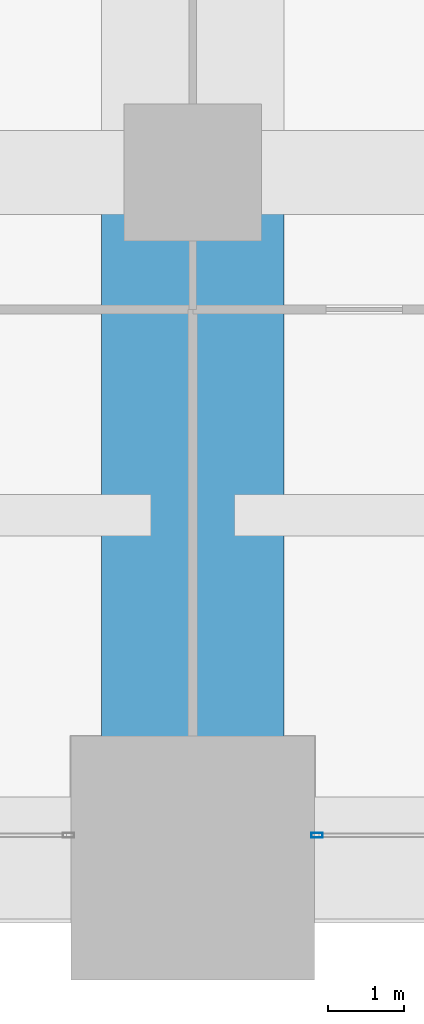
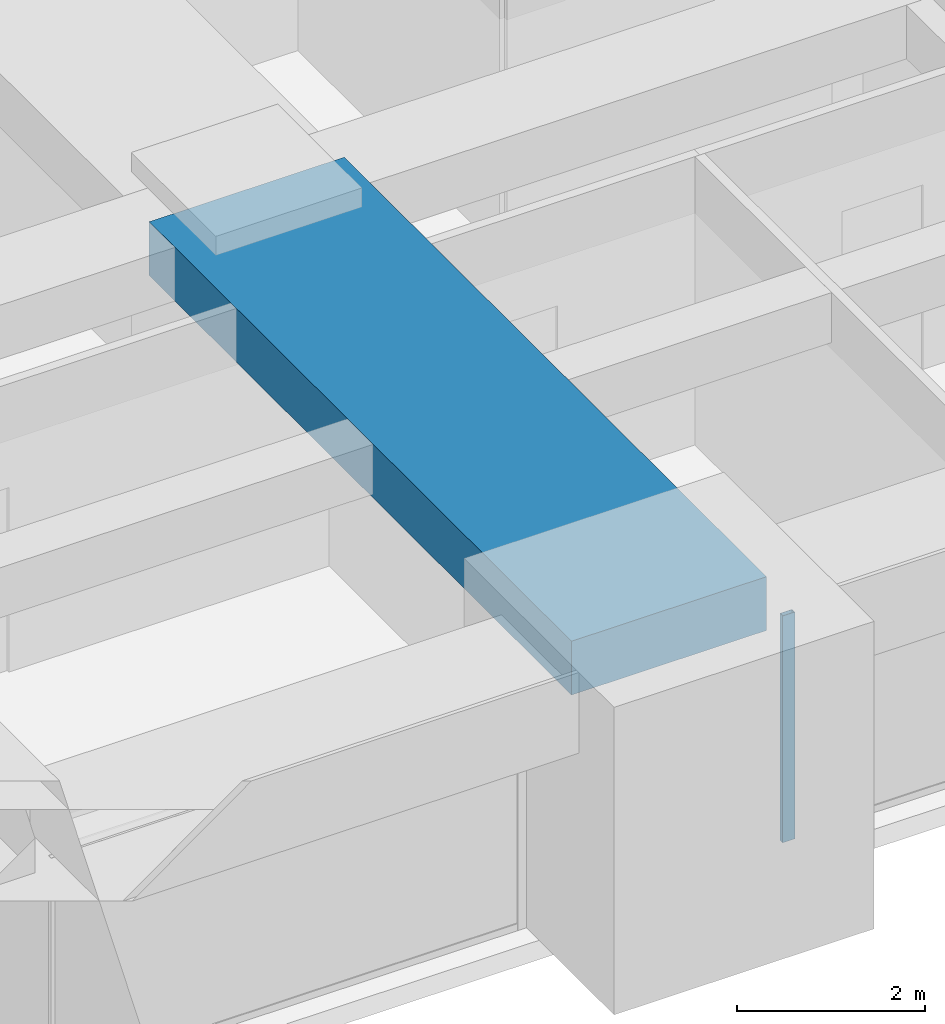
# One storey, part 8 of 36: 1 beam, 1 member, 1 element without a shape of its own.
"""IFC4 building model written with IfcOpenShell, lengths in metres."""

from ifc_helpers import new_model, si_unit, direction, frame, origin, origin_2d, place, context, subcontext, project, spatial, rectangle, hollow_rectangle, extrude, material, material_profile, profile_set, type_object, element, aggregate, save


model = new_model("IFC4")

# Units and contexts
model_context = context("Model", 3, precision=1e-05, world=origin(), true_north=direction((0.0, 1.0)))
body_context = subcontext(model_context, "Body", "Model", "MODEL_VIEW")
ifc_project = project(units=[si_unit("LENGTHUNIT", "METRE"), si_unit("AREAUNIT", "SQUARE_METRE"), si_unit("VOLUMEUNIT", "CUBIC_METRE"), si_unit("PLANEANGLEUNIT", "RADIAN"), si_unit("MASSUNIT", "GRAM", prefix="KILO")], contexts=[model_context])

# Site, building, storey
site_placement = place(None, origin())
site = spatial("IfcSite", under=ifc_project, at=site_placement, CompositionType="ELEMENT")
building_placement = place(site_placement, origin())
building = spatial("IfcBuilding", under=site, at=building_placement, Name="Zorevar Civic Tower", CompositionType="ELEMENT")
storey_placement = place(building_placement, frame((0.0, 0.0, 166.199951171875)))
storey = spatial("IfcBuildingStorey", under=building, at=storey_placement, Name="L40", CompositionType="ELEMENT", Elevation=166.199951171875)

# Beam
ifc_material_1 = material(Name="Concrete C50/60", Category="concrete")
ifc_material_profile_1 = material_profile(ifc_material_1, rectangle(XDim=2.39990234375, YDim=0.699951171875, at=origin_2d()), Name="RC 2400x700")
ifc_profile_set_1 = profile_set([ifc_material_profile_1], Name="Concrete C50/60")
beam_type = type_object("IfcBeamType", Name="Beam RC 2400x700", PredefinedType="BEAM", material=ifc_profile_set_1)
beam_placement = place(storey_placement, frame((27.0, 0.0, 3.400146484375), z_axis=(0.0, 1.0, 0.0), x_axis=(-1.0, 0.0, 0.0)))
element("IfcBeam", 1, at=beam_placement, inside=storey, type_object=beam_type, Name="Girder L41", PredefinedType="BEAM", context=body_context, shape_type="SweptSolid", body=[
    extrude(rectangle(XDim=2.39990234375, YDim=0.699951171875, at=origin_2d()), origin(), (0.0, 0.0, 1.0), 9.0),
])

# Curtain wall, member
ifc_material_2 = material(Name="Dark grey solar-control glass in black aluminium frame", Category="aluminium")
curtain_wall_type = type_object("IfcCurtainWallType", Name="Curtain wall CW4 high zone", PredefinedType="NOTDEFINED", material=ifc_material_2)
curtain_wall_placement = place(storey_placement, origin())
curtain_wall = element("IfcCurtainWall", 2, at=curtain_wall_placement, inside=storey, type_object=curtain_wall_type, Name="CW4 L40", PredefinedType="NOTDEFINED")
ifc_material_3 = material(Name="Aluminium, black anodised", Category="aluminium")
ifc_material_profile_2 = material_profile(ifc_material_3, hollow_rectangle(XDim=0.06005859375, YDim=0.14990234375, WallThickness=0.00390625, at=origin_2d()), Name="AL 150x60x4")
ifc_profile_set_2 = profile_set([ifc_material_profile_2], Name="Aluminium, black anodised")
member_type = type_object("IfcMemberType", Name="CW4 mullion AL 150x60x4", PredefinedType="MULLION", material=ifc_profile_set_2)
member_placement = place(storey_placement, frame((28.6298828125, 0.300048828125, 0.0), z_axis=(0.0, 0.0, 1.0), x_axis=(0.0, 1.0, 0.0)))
member = element("IfcMember", 3, at=member_placement, type_object=member_type, Name="CW4 mullion 1", PredefinedType="MULLION", context=body_context, shape_type="SweptSolid", body=[
    extrude(hollow_rectangle(XDim=0.06005859375, YDim=0.14990234375, WallThickness=0.00390625, at=origin_2d()), origin(), (0.0, 0.0, 1.0), 2.949951171875),
])
aggregate(curtain_wall, [member])

save(model, "model.ifc")
